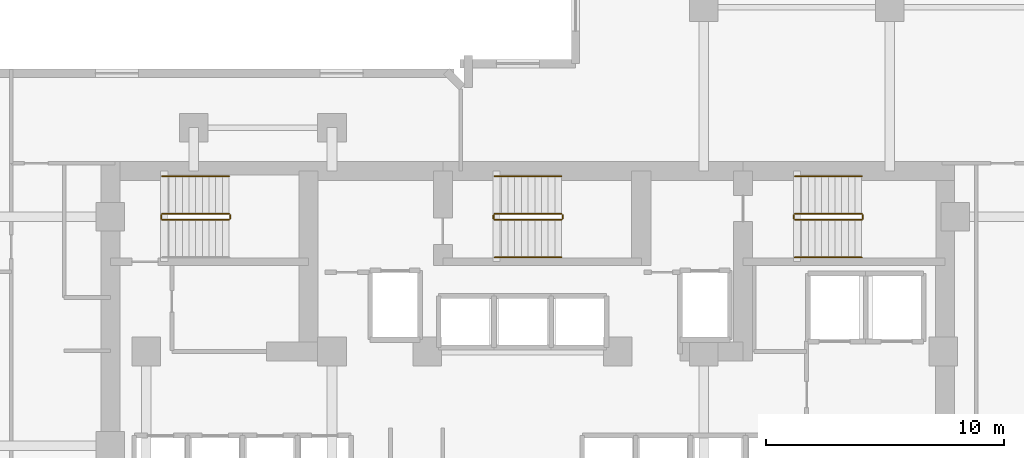
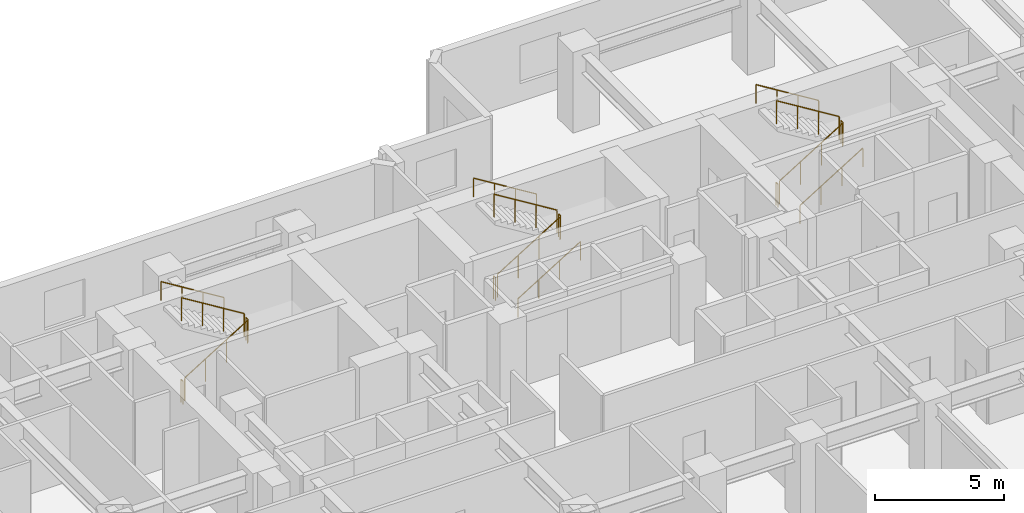
# One storey, part 12 of 12: 17 railings.
"""IFC4 building model written with IfcOpenShell, lengths in metres."""

from ifc_helpers import new_model, si_unit, direction, frame, origin, origin_2d, place, context, subcontext, project, spatial, circle, extrude, material, type_object, element, save


model = new_model("IFC4")

# Units and contexts
model_context = context("Model", 3, precision=1e-05, world=origin(), true_north=direction((0.0, 1.0)))
body_context = subcontext(model_context, "Body", "Model", "MODEL_VIEW")
ifc_project = project(units=[si_unit("LENGTHUNIT", "METRE"), si_unit("AREAUNIT", "SQUARE_METRE"), si_unit("VOLUMEUNIT", "CUBIC_METRE"), si_unit("PLANEANGLEUNIT", "RADIAN"), si_unit("MASSUNIT", "GRAM", prefix="KILO")], contexts=[model_context])

# Site, building, storey
site_placement = place(None, origin())
site = spatial("IfcSite", under=ifc_project, at=site_placement, CompositionType="ELEMENT")
building_placement = place(site_placement, origin())
building = spatial("IfcBuilding", under=site, at=building_placement, Name="Kestravale Grand Hotel", CompositionType="ELEMENT")
storey_placement = place(building_placement, frame((0.0, 0.0, 110.800048828125)))
storey = spatial("IfcBuildingStorey", under=building, at=storey_placement, Name="L27", CompositionType="ELEMENT", Elevation=110.800048828125)

# Railings
ifc_material_1 = material(Name="Painted tubular steel stair well guard", Category="steel")
railing_type_1 = type_object("IfcRailingType", Name="RL-ST-GRD1100", PredefinedType="GUARDRAIL", material=ifc_material_1)
railing_1_placement = place(storey_placement, frame((24.080078125, 38.280029296875, 0.172607421875)))
element("IfcRailing", 1, at=railing_1_placement, inside=storey, type_object=railing_type_1, Name="L27 ST-1 stair guard 1", PredefinedType="GUARDRAIL", context=body_context, shape_type="SweptSolid", body=[
    extrude(circle(Radius=0.02392578125, at=origin_2d()), frame((0.0, 0.0, 1.076171875), z_axis=(0.851069175582, 0.0, 0.525053576669), x_axis=(0.0, 1.0, 0.0)), (0.0, 0.0, 1.0), 3.289794921875),
    extrude(circle(Radius=0.02099609375, at=origin_2d()), origin(), (0.0, 0.0, 1.0), 1.052001953125),
    extrude(circle(Radius=0.02099609375, at=origin_2d()), frame((0.933349609375, 0.0, 0.57568359375)), (0.0, 0.0, 1.0), 1.052001953125),
    extrude(circle(Radius=0.02099609375, at=origin_2d()), frame((1.866455078125, 0.0, 1.151611328125)), (0.0, 0.0, 1.0), 1.052001953125),
    extrude(circle(Radius=0.02099609375, at=origin_2d()), frame((2.7998046875, 0.0, 1.727294921875)), (0.0, 0.0, 1.0), 1.052001953125),
])
railing_2_placement = place(storey_placement, frame((26.929931640625, 38.330078125, 1.89990234375)))
element("IfcRailing", 2, at=railing_2_placement, inside=storey, type_object=railing_type_1, Name="L27 ST-1 stair guard 2", PredefinedType="GUARDRAIL", context=body_context, shape_type="SweptSolid", body=[
    extrude(circle(Radius=0.02392578125, at=origin_2d()), frame((0.0, 0.0, 1.076171875), z_axis=(0.0, 1.0, 0.0), x_axis=(-1.0, 0.0, 0.0)), (0.0, 0.0, 1.0), 0.14990234375),
    extrude(circle(Radius=0.02099609375, at=origin_2d()), origin(), (0.0, 0.0, 1.0), 1.052001953125),
    extrude(circle(Radius=0.02099609375, at=origin_2d()), frame((0.0, 0.14990234375, 0.0)), (0.0, 0.0, 1.0), 1.052001953125),
])
railing_3_placement = place(storey_placement, frame((26.8798828125, 38.530029296875, 2.07275390625)))
element("IfcRailing", 3, at=railing_3_placement, inside=storey, type_object=railing_type_1, Name="L27 ST-1 stair guard 3", PredefinedType="GUARDRAIL", context=body_context, shape_type="SweptSolid", body=[
    extrude(circle(Radius=0.02392578125, at=origin_2d()), frame((0.0, 0.0, 1.076171875), z_axis=(-0.851069175582, 0.0, 0.525053576669), x_axis=(0.0, -1.0, 0.0)), (0.0, 0.0, 1.0), 3.289794921875),
    extrude(circle(Radius=0.02099609375, at=origin_2d()), origin(), (0.0, 0.0, 1.0), 1.052001953125),
    extrude(circle(Radius=0.02099609375, at=origin_2d()), frame((-0.933349609375, 0.0, 0.57568359375)), (0.0, 0.0, 1.0), 1.052001953125),
    extrude(circle(Radius=0.02099609375, at=origin_2d()), frame((-1.866455078125, 0.0, 1.151611328125)), (0.0, 0.0, 1.0), 1.052001953125),
    extrude(circle(Radius=0.02099609375, at=origin_2d()), frame((-2.7998046875, 0.0, 1.727294921875)), (0.0, 0.0, 1.0), 1.052001953125),
])
railing_4_placement = place(storey_placement, frame((24.030029296875, 38.330078125, 0.0)))
element("IfcRailing", 4, at=railing_4_placement, inside=storey, type_object=railing_type_1, Name="L27 ST-1 stair guard 4", PredefinedType="GUARDRAIL", context=body_context, shape_type="SweptSolid", body=[
    extrude(circle(Radius=0.02392578125, at=origin_2d()), frame((0.0, 0.0, 1.076171875), z_axis=(0.0, 1.0, 0.0), x_axis=(-1.0, 0.0, 0.0)), (0.0, 0.0, 1.0), 0.14990234375),
    extrude(circle(Radius=0.02099609375, at=origin_2d()), origin(), (0.0, 0.0, 1.0), 1.052001953125),
    extrude(circle(Radius=0.02099609375, at=origin_2d()), frame((0.0, 0.14990234375, 0.0)), (0.0, 0.0, 1.0), 1.052001953125),
])
railing_5_placement = place(storey_placement, frame((38.030029296875, 38.280029296875, 0.172607421875)))
element("IfcRailing", 5, at=railing_5_placement, inside=storey, type_object=railing_type_1, Name="L27 ST-2 stair guard 1", PredefinedType="GUARDRAIL", context=body_context, shape_type="SweptSolid", body=[
    extrude(circle(Radius=0.02392578125, at=origin_2d()), frame((0.0, 0.0, 1.076171875), z_axis=(0.851089632645, 0.0, 0.525020415988), x_axis=(0.0, 1.0, 0.0)), (0.0, 0.0, 1.0), 3.2900390625),
    extrude(circle(Radius=0.02099609375, at=origin_2d()), origin(), (0.0, 0.0, 1.0), 1.052001953125),
    extrude(circle(Radius=0.02099609375, at=origin_2d()), frame((0.933349609375, 0.0, 0.57568359375)), (0.0, 0.0, 1.0), 1.052001953125),
    extrude(circle(Radius=0.02099609375, at=origin_2d()), frame((1.86669921875, 0.0, 1.151611328125)), (0.0, 0.0, 1.0), 1.052001953125),
    extrude(circle(Radius=0.02099609375, at=origin_2d()), frame((2.800048828125, 0.0, 1.727294921875)), (0.0, 0.0, 1.0), 1.052001953125),
])
railing_6_placement = place(storey_placement, frame((40.8798828125, 38.330078125, 1.89990234375)))
element("IfcRailing", 6, at=railing_6_placement, inside=storey, type_object=railing_type_1, Name="L27 ST-2 stair guard 2", PredefinedType="GUARDRAIL", context=body_context, shape_type="SweptSolid", body=[
    extrude(circle(Radius=0.02392578125, at=origin_2d()), frame((0.0, 0.0, 1.076171875), z_axis=(0.0, 1.0, 0.0), x_axis=(-1.0, 0.0, 0.0)), (0.0, 0.0, 1.0), 0.14990234375),
    extrude(circle(Radius=0.02099609375, at=origin_2d()), origin(), (0.0, 0.0, 1.0), 1.052001953125),
    extrude(circle(Radius=0.02099609375, at=origin_2d()), frame((0.0, 0.14990234375, 0.0)), (0.0, 0.0, 1.0), 1.052001953125),
])
railing_7_placement = place(storey_placement, frame((40.830078125, 38.530029296875, 2.07275390625)))
element("IfcRailing", 7, at=railing_7_placement, inside=storey, type_object=railing_type_1, Name="L27 ST-2 stair guard 3", PredefinedType="GUARDRAIL", context=body_context, shape_type="SweptSolid", body=[
    extrude(circle(Radius=0.02392578125, at=origin_2d()), frame((0.0, 0.0, 1.076171875), z_axis=(-0.851089632645, 0.0, 0.525020415988), x_axis=(0.0, -1.0, 0.0)), (0.0, 0.0, 1.0), 3.2900390625),
    extrude(circle(Radius=0.02099609375, at=origin_2d()), origin(), (0.0, 0.0, 1.0), 1.052001953125),
    extrude(circle(Radius=0.02099609375, at=origin_2d()), frame((-0.933349609375, 0.0, 0.57568359375)), (0.0, 0.0, 1.0), 1.052001953125),
    extrude(circle(Radius=0.02099609375, at=origin_2d()), frame((-1.86669921875, 0.0, 1.151611328125)), (0.0, 0.0, 1.0), 1.052001953125),
    extrude(circle(Radius=0.02099609375, at=origin_2d()), frame((-2.800048828125, 0.0, 1.727294921875)), (0.0, 0.0, 1.0), 1.052001953125),
])
railing_8_placement = place(storey_placement, frame((37.97998046875, 38.330078125, 0.0)))
element("IfcRailing", 8, at=railing_8_placement, inside=storey, type_object=railing_type_1, Name="L27 ST-2 stair guard 4", PredefinedType="GUARDRAIL", context=body_context, shape_type="SweptSolid", body=[
    extrude(circle(Radius=0.02392578125, at=origin_2d()), frame((0.0, 0.0, 1.076171875), z_axis=(0.0, 1.0, 0.0), x_axis=(-1.0, 0.0, 0.0)), (0.0, 0.0, 1.0), 0.14990234375),
    extrude(circle(Radius=0.02099609375, at=origin_2d()), origin(), (0.0, 0.0, 1.0), 1.052001953125),
    extrude(circle(Radius=0.02099609375, at=origin_2d()), frame((0.0, 0.14990234375, 0.0)), (0.0, 0.0, 1.0), 1.052001953125),
])
railing_9_placement = place(storey_placement, frame((50.6298828125, 38.280029296875, 0.172607421875)))
element("IfcRailing", 9, at=railing_9_placement, inside=storey, type_object=railing_type_1, Name="L27 ST-3 stair guard 1", PredefinedType="GUARDRAIL", context=body_context, shape_type="SweptSolid", body=[
    extrude(circle(Radius=0.02392578125, at=origin_2d()), frame((0.0, 0.0, 1.076171875), z_axis=(0.851089632645, 0.0, 0.525020415988), x_axis=(0.0, 1.0, 0.0)), (0.0, 0.0, 1.0), 3.2900390625),
    extrude(circle(Radius=0.02099609375, at=origin_2d()), origin(), (0.0, 0.0, 1.0), 1.052001953125),
    extrude(circle(Radius=0.02099609375, at=origin_2d()), frame((0.933349609375, 0.0, 0.57568359375)), (0.0, 0.0, 1.0), 1.052001953125),
    extrude(circle(Radius=0.02099609375, at=origin_2d()), frame((1.86669921875, 0.0, 1.151611328125)), (0.0, 0.0, 1.0), 1.052001953125),
    extrude(circle(Radius=0.02099609375, at=origin_2d()), frame((2.800048828125, 0.0, 1.727294921875)), (0.0, 0.0, 1.0), 1.052001953125),
])
railing_10_placement = place(storey_placement, frame((53.47998046875, 38.330078125, 1.89990234375)))
element("IfcRailing", 10, at=railing_10_placement, inside=storey, type_object=railing_type_1, Name="L27 ST-3 stair guard 2", PredefinedType="GUARDRAIL", context=body_context, shape_type="SweptSolid", body=[
    extrude(circle(Radius=0.02392578125, at=origin_2d()), frame((0.0, 0.0, 1.076171875), z_axis=(0.0, 1.0, 0.0), x_axis=(-1.0, 0.0, 0.0)), (0.0, 0.0, 1.0), 0.14990234375),
    extrude(circle(Radius=0.02099609375, at=origin_2d()), origin(), (0.0, 0.0, 1.0), 1.052001953125),
    extrude(circle(Radius=0.02099609375, at=origin_2d()), frame((0.0, 0.14990234375, 0.0)), (0.0, 0.0, 1.0), 1.052001953125),
])
railing_11_placement = place(storey_placement, frame((53.429931640625, 38.530029296875, 2.07275390625)))
element("IfcRailing", 11, at=railing_11_placement, inside=storey, type_object=railing_type_1, Name="L27 ST-3 stair guard 3", PredefinedType="GUARDRAIL", context=body_context, shape_type="SweptSolid", body=[
    extrude(circle(Radius=0.02392578125, at=origin_2d()), frame((0.0, 0.0, 1.076171875), z_axis=(-0.851089632645, 0.0, 0.525020415988), x_axis=(0.0, -1.0, 0.0)), (0.0, 0.0, 1.0), 3.2900390625),
    extrude(circle(Radius=0.02099609375, at=origin_2d()), origin(), (0.0, 0.0, 1.0), 1.052001953125),
    extrude(circle(Radius=0.02099609375, at=origin_2d()), frame((-0.933349609375, 0.0, 0.57568359375)), (0.0, 0.0, 1.0), 1.052001953125),
    extrude(circle(Radius=0.02099609375, at=origin_2d()), frame((-1.86669921875, 0.0, 1.151611328125)), (0.0, 0.0, 1.0), 1.052001953125),
    extrude(circle(Radius=0.02099609375, at=origin_2d()), frame((-2.800048828125, 0.0, 1.727294921875)), (0.0, 0.0, 1.0), 1.052001953125),
])
railing_12_placement = place(storey_placement, frame((50.580078125, 38.330078125, 0.0)))
element("IfcRailing", 12, at=railing_12_placement, inside=storey, type_object=railing_type_1, Name="L27 ST-3 stair guard 4", PredefinedType="GUARDRAIL", context=body_context, shape_type="SweptSolid", body=[
    extrude(circle(Radius=0.02392578125, at=origin_2d()), frame((0.0, 0.0, 1.076171875), z_axis=(0.0, 1.0, 0.0), x_axis=(-1.0, 0.0, 0.0)), (0.0, 0.0, 1.0), 0.14990234375),
    extrude(circle(Radius=0.02099609375, at=origin_2d()), origin(), (0.0, 0.0, 1.0), 1.052001953125),
    extrude(circle(Radius=0.02099609375, at=origin_2d()), frame((0.0, 0.14990234375, 0.0)), (0.0, 0.0, 1.0), 1.052001953125),
])
ifc_material_2 = material(Name="Brushed stainless steel wall handrail", Category="steel")
railing_type_2 = type_object("IfcRailingType", Name="RL-ST-HND900", PredefinedType="HANDRAIL", material=ifc_material_2)
railing_13_placement = place(storey_placement, frame((26.8798828125, 40.110107421875, 2.07275390625)))
element("IfcRailing", 13, at=railing_13_placement, inside=storey, type_object=railing_type_2, Name="L27 ST-1 stair handrail 2", PredefinedType="HANDRAIL", context=body_context, shape_type="SweptSolid", body=[
    extrude(circle(Radius=0.02392578125, at=origin_2d()), frame((0.0, 0.0, 0.8759765625), z_axis=(-0.851069175582, 0.0, 0.525053576669), x_axis=(0.0, -1.0, 0.0)), (0.0, 0.0, 1.0), 3.289794921875),
    extrude(circle(Radius=0.02099609375, at=origin_2d()), origin(), (0.0, 0.0, 1.0), 0.851806640625),
    extrude(circle(Radius=0.02099609375, at=origin_2d()), frame((-0.933349609375, 0.0, 0.57568359375)), (0.0, 0.0, 1.0), 0.851806640625),
    extrude(circle(Radius=0.02099609375, at=origin_2d()), frame((-1.866455078125, 0.0, 1.151611328125)), (0.0, 0.0, 1.0), 0.851806640625),
    extrude(circle(Radius=0.02099609375, at=origin_2d()), frame((-2.7998046875, 0.0, 1.727294921875)), (0.0, 0.0, 1.0), 0.851806640625),
])
railing_14_placement = place(storey_placement, frame((38.030029296875, 36.699951171875, 0.172607421875)))
element("IfcRailing", 14, at=railing_14_placement, inside=storey, type_object=railing_type_2, Name="L27 ST-2 stair handrail 1", PredefinedType="HANDRAIL", context=body_context, shape_type="SweptSolid", body=[
    extrude(circle(Radius=0.02392578125, at=origin_2d()), frame((0.0, 0.0, 0.8759765625), z_axis=(0.851089632645, 0.0, 0.525020415988), x_axis=(0.0, 1.0, 0.0)), (0.0, 0.0, 1.0), 3.2900390625),
    extrude(circle(Radius=0.02099609375, at=origin_2d()), origin(), (0.0, 0.0, 1.0), 0.851806640625),
    extrude(circle(Radius=0.02099609375, at=origin_2d()), frame((0.933349609375, 0.0, 0.57568359375)), (0.0, 0.0, 1.0), 0.851806640625),
    extrude(circle(Radius=0.02099609375, at=origin_2d()), frame((1.86669921875, 0.0, 1.151611328125)), (0.0, 0.0, 1.0), 0.851806640625),
    extrude(circle(Radius=0.02099609375, at=origin_2d()), frame((2.800048828125, 0.0, 1.727294921875)), (0.0, 0.0, 1.0), 0.851806640625),
])
railing_15_placement = place(storey_placement, frame((40.830078125, 40.110107421875, 2.07275390625)))
element("IfcRailing", 15, at=railing_15_placement, inside=storey, type_object=railing_type_2, Name="L27 ST-2 stair handrail 2", PredefinedType="HANDRAIL", context=body_context, shape_type="SweptSolid", body=[
    extrude(circle(Radius=0.02392578125, at=origin_2d()), frame((0.0, 0.0, 0.8759765625), z_axis=(-0.851089632645, 0.0, 0.525020415988), x_axis=(0.0, -1.0, 0.0)), (0.0, 0.0, 1.0), 3.2900390625),
    extrude(circle(Radius=0.02099609375, at=origin_2d()), origin(), (0.0, 0.0, 1.0), 0.851806640625),
    extrude(circle(Radius=0.02099609375, at=origin_2d()), frame((-0.933349609375, 0.0, 0.57568359375)), (0.0, 0.0, 1.0), 0.851806640625),
    extrude(circle(Radius=0.02099609375, at=origin_2d()), frame((-1.86669921875, 0.0, 1.151611328125)), (0.0, 0.0, 1.0), 0.851806640625),
    extrude(circle(Radius=0.02099609375, at=origin_2d()), frame((-2.800048828125, 0.0, 1.727294921875)), (0.0, 0.0, 1.0), 0.851806640625),
])
railing_16_placement = place(storey_placement, frame((50.6298828125, 36.699951171875, 0.172607421875)))
element("IfcRailing", 16, at=railing_16_placement, inside=storey, type_object=railing_type_2, Name="L27 ST-3 stair handrail 1", PredefinedType="HANDRAIL", context=body_context, shape_type="SweptSolid", body=[
    extrude(circle(Radius=0.02392578125, at=origin_2d()), frame((0.0, 0.0, 0.8759765625), z_axis=(0.851089632645, 0.0, 0.525020415988), x_axis=(0.0, 1.0, 0.0)), (0.0, 0.0, 1.0), 3.2900390625),
    extrude(circle(Radius=0.02099609375, at=origin_2d()), origin(), (0.0, 0.0, 1.0), 0.851806640625),
    extrude(circle(Radius=0.02099609375, at=origin_2d()), frame((0.933349609375, 0.0, 0.57568359375)), (0.0, 0.0, 1.0), 0.851806640625),
    extrude(circle(Radius=0.02099609375, at=origin_2d()), frame((1.86669921875, 0.0, 1.151611328125)), (0.0, 0.0, 1.0), 0.851806640625),
    extrude(circle(Radius=0.02099609375, at=origin_2d()), frame((2.800048828125, 0.0, 1.727294921875)), (0.0, 0.0, 1.0), 0.851806640625),
])
railing_17_placement = place(storey_placement, frame((53.429931640625, 40.110107421875, 2.07275390625)))
element("IfcRailing", 17, at=railing_17_placement, inside=storey, type_object=railing_type_2, Name="L27 ST-3 stair handrail 2", PredefinedType="HANDRAIL", context=body_context, shape_type="SweptSolid", body=[
    extrude(circle(Radius=0.02392578125, at=origin_2d()), frame((0.0, 0.0, 0.8759765625), z_axis=(-0.851089632645, 0.0, 0.525020415988), x_axis=(0.0, -1.0, 0.0)), (0.0, 0.0, 1.0), 3.2900390625),
    extrude(circle(Radius=0.02099609375, at=origin_2d()), origin(), (0.0, 0.0, 1.0), 0.851806640625),
    extrude(circle(Radius=0.02099609375, at=origin_2d()), frame((-0.933349609375, 0.0, 0.57568359375)), (0.0, 0.0, 1.0), 0.851806640625),
    extrude(circle(Radius=0.02099609375, at=origin_2d()), frame((-1.86669921875, 0.0, 1.151611328125)), (0.0, 0.0, 1.0), 0.851806640625),
    extrude(circle(Radius=0.02099609375, at=origin_2d()), frame((-2.800048828125, 0.0, 1.727294921875)), (0.0, 0.0, 1.0), 0.851806640625),
])

save(model, "model.ifc")
